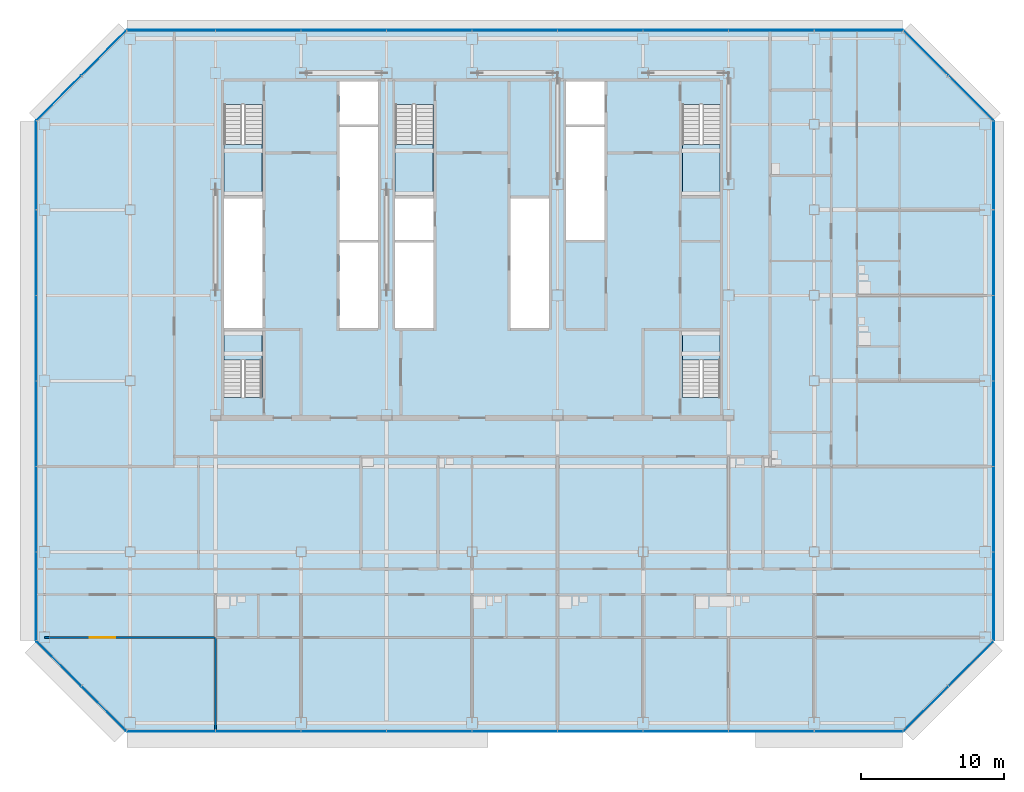
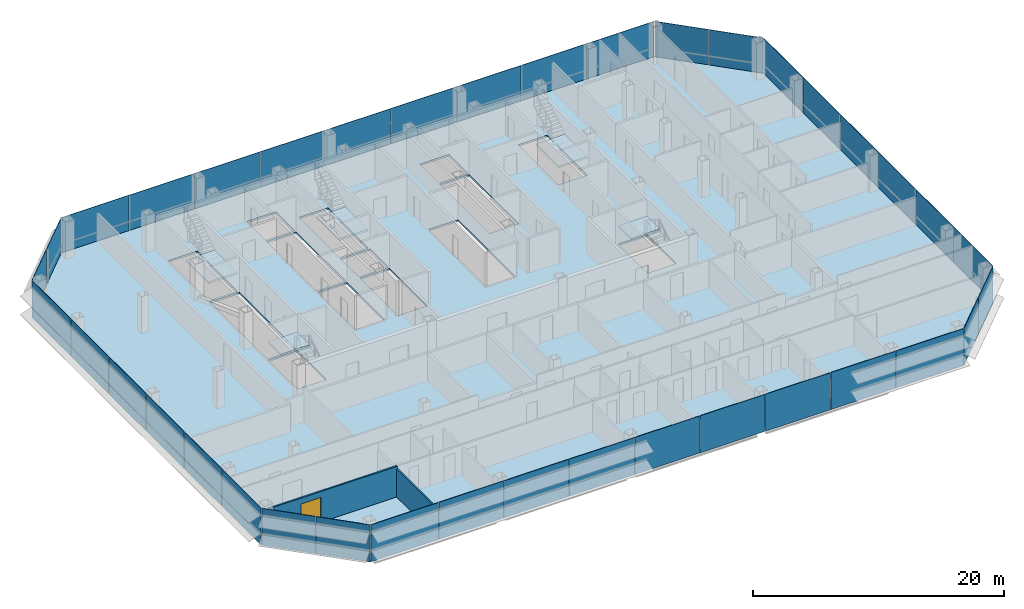
# One storey, part 18 of 25: 38 plates, 6 slabs, 2 walls, 1 door, 1 opening, 13 elements without a shape of their own.
"""IFC4 building model written with IfcOpenShell, lengths in metres."""

from ifc_helpers import new_model, si_unit, direction, frame, frame_2d, origin, origin_2d, place, context, subcontext, project, spatial, polyline, rectangle, outline, extrude, material, layer, layer_set, type_object, element, fill, aggregate, save


model = new_model("IFC4")

# Units and contexts
model_context = context("Model", 3, precision=1e-05, world=origin(), true_north=direction((0.0, 1.0)))
body_context = subcontext(model_context, "Body", "Model", "MODEL_VIEW")
ifc_project = project(units=[si_unit("LENGTHUNIT", "METRE"), si_unit("AREAUNIT", "SQUARE_METRE"), si_unit("VOLUMEUNIT", "CUBIC_METRE"), si_unit("PLANEANGLEUNIT", "RADIAN"), si_unit("MASSUNIT", "GRAM", prefix="KILO")], contexts=[model_context])

# Site, building, storey
site_placement = place(None, origin())
site = spatial("IfcSite", under=ifc_project, at=site_placement, CompositionType="ELEMENT")
building_placement = place(site_placement, origin())
building = spatial("IfcBuilding", under=site, at=building_placement, Name="Sorahane Residences", CompositionType="ELEMENT")
storey_placement = place(building_placement, frame((0.0, 0.0, 107.0)))
storey = spatial("IfcBuildingStorey", under=building, at=storey_placement, Name="L23", CompositionType="ELEMENT", Elevation=107.0)

# Slab
ifc_material_1 = material(Name="Concrete C35", Category="concrete")
ifc_layer_1 = layer(ifc_material_1, 0.179931640625)
ifc_layer_set_1 = layer_set([ifc_layer_1], Name="Composite floor slab 180 mm Concrete C35")
slab_type_1 = type_object("IfcSlabType", Name="Composite floor slab 180 mm Concrete C35", PredefinedType="FLOOR", material=ifc_layer_set_1)
slab_1_placement = place(storey_placement, frame((0.0, 0.0, -0.179931640625)))
element("IfcSlab", 1, at=slab_1_placement, inside=storey, type_object=slab_type_1, Name="Slab L23", PredefinedType="FLOOR", context=body_context, shape_type="SweptSolid", body=[
    extrude(outline(polyline([(-0.24853515625, -0.60009765625), (-6.60009765625, 5.75146484375), (-6.60009765625, 42.24853515625), (-0.24853515625, 48.60009765625), (54.24853515625, 48.60009765625), (60.60009765625, 42.24853515625), (60.60009765625, 5.75146484375), (54.24853515625, -0.60009765625), (-0.24853515625, -0.60009765625)]), holes=[polyline([(18.60009765625, 27.699951171875), (21.300048828125, 27.699951171875), (21.300048828125, 33.699951171875), (18.60009765625, 33.699951171875), (18.60009765625, 27.699951171875)]), polyline([(30.60009765625, 42.0), (33.300048828125, 42.0), (33.300048828125, 45.0), (30.60009765625, 45.0), (30.60009765625, 42.0)]), polyline([(14.699951171875, 27.699951171875), (17.39990234375, 27.699951171875), (17.39990234375, 33.699951171875), (14.699951171875, 33.699951171875), (14.699951171875, 27.699951171875)]), polyline([(14.699951171875, 42.0), (17.39990234375, 42.0), (17.39990234375, 45.0), (14.699951171875, 45.0), (14.699951171875, 42.0)]), polyline([(6.60009765625, 27.699951171875), (9.300048828125, 27.699951171875), (9.300048828125, 36.800048828125), (6.60009765625, 36.800048828125), (6.60009765625, 27.699951171875)]), polyline([(6.60009765625, 43.39990234375), (6.60009765625, 37.0), (9.25, 37.0), (9.25, 43.39990234375), (6.60009765625, 43.39990234375)]), polyline([(38.75, 43.39990234375), (38.75, 37.0), (41.39990234375, 37.0), (41.39990234375, 43.39990234375), (38.75, 43.39990234375)]), polyline([(18.60009765625, 43.39990234375), (18.60009765625, 37.0), (21.25, 37.0), (21.25, 43.39990234375), (18.60009765625, 43.39990234375)]), polyline([(9.25, 22.85009765625), (9.25, 27.5), (6.60009765625, 27.5), (6.60009765625, 22.85009765625), (9.25, 22.85009765625)]), polyline([(41.39990234375, 22.85009765625), (41.39990234375, 27.5), (38.75, 27.5), (38.75, 22.85009765625), (41.39990234375, 22.85009765625)]), polyline([(14.699951171875, 33.89990234375), (17.39990234375, 33.89990234375), (17.39990234375, 41.800048828125), (14.699951171875, 41.800048828125), (14.699951171875, 33.89990234375)]), polyline([(30.60009765625, 33.89990234375), (33.300048828125, 33.89990234375), (33.300048828125, 41.800048828125), (30.60009765625, 41.800048828125), (30.60009765625, 33.89990234375)]), polyline([(18.60009765625, 33.89990234375), (21.300048828125, 33.89990234375), (21.300048828125, 36.800048828125), (18.60009765625, 36.800048828125), (18.60009765625, 33.89990234375)]), polyline([(26.699951171875, 27.699951171875), (29.39990234375, 27.699951171875), (29.39990234375, 36.800048828125), (26.699951171875, 36.800048828125), (26.699951171875, 27.699951171875)])]), origin(), (0.0, 0.0, 1.0), 0.179931640625),
])

# Curtain wall, plates
ifc_material_2 = material(Name="Dark low-e glass and black anodised aluminium", Category="aluminium")
curtain_wall_type_1 = type_object("IfcCurtainWallType", Name="Curtain wall CW-1 Typical unitised wall", PredefinedType="NOTDEFINED", material=ifc_material_2)
curtain_wall_1_placement = place(storey_placement, origin())
curtain_wall_1 = element("IfcCurtainWall", 2, at=curtain_wall_1_placement, inside=storey, type_object=curtain_wall_type_1, Name="CW-1 curtain wall L23 S1", PredefinedType="NOTDEFINED")
ifc_material_3 = material(Name="Dark low-e glass with black ceramic frit", Category="glass")
ifc_layer_2 = layer(ifc_material_3, 0.0400390625)
ifc_layer_set_2 = layer_set([ifc_layer_2], Name="Curtain wall glass panel dark low-e with black frit spandrel band")
plate_type = type_object("IfcPlateType", Name="Curtain wall glass panel dark low-e with black frit spandrel band", PredefinedType="CURTAIN_PANEL", material=ifc_layer_set_2)
plate_1_placement = place(storey_placement, frame((2.88818359375, -0.60009765625, -0.179931640625), z_axis=(0.0, 0.0, 1.0), x_axis=(1.0, 0.0, 0.0)))
plate_1 = element("IfcPlate", 3, at=plate_1_placement, type_object=plate_type, Name="CW-1 glass panel L23 S1.1", PredefinedType="CURTAIN_PANEL", context=body_context, shape_type="SweptSolid", body=[
    extrude(rectangle(XDim=6.173583984375, YDim=0.0400390625, at=origin_2d()), origin(), (0.0, 0.0, 1.0), 3.60009765625),
])
plate_2_placement = place(storey_placement, frame((9.0, -0.60009765625, -0.179931640625), z_axis=(0.0, 0.0, 1.0), x_axis=(1.0, 0.0, 0.0)))
plate_2 = element("IfcPlate", 4, at=plate_2_placement, type_object=plate_type, Name="CW-1 glass panel L23 S1.2", PredefinedType="CURTAIN_PANEL", context=body_context, shape_type="SweptSolid", body=[
    extrude(rectangle(XDim=5.949951171875, YDim=0.0400390625, at=origin_2d()), origin(), (0.0, 0.0, 1.0), 3.60009765625),
])
plate_3_placement = place(storey_placement, frame((15.0, -0.60009765625, -0.179931640625), z_axis=(0.0, 0.0, 1.0), x_axis=(1.0, 0.0, 0.0)))
plate_3 = element("IfcPlate", 5, at=plate_3_placement, type_object=plate_type, Name="CW-1 glass panel L23 S1.3", PredefinedType="CURTAIN_PANEL", context=body_context, shape_type="SweptSolid", body=[
    extrude(rectangle(XDim=5.949951171875, YDim=0.0400390625, at=origin_2d()), origin(), (0.0, 0.0, 1.0), 3.60009765625),
])
plate_4_placement = place(storey_placement, frame((21.0, -0.60009765625, -0.179931640625), z_axis=(0.0, 0.0, 1.0), x_axis=(1.0, 0.0, 0.0)))
plate_4 = element("IfcPlate", 6, at=plate_4_placement, type_object=plate_type, Name="CW-1 glass panel L23 S1.4", PredefinedType="CURTAIN_PANEL", context=body_context, shape_type="SweptSolid", body=[
    extrude(rectangle(XDim=5.949951171875, YDim=0.0400390625, at=origin_2d()), origin(), (0.0, 0.0, 1.0), 3.60009765625),
])
plate_5_placement = place(storey_placement, frame((27.0, -0.60009765625, -0.179931640625), z_axis=(0.0, 0.0, 1.0), x_axis=(1.0, 0.0, 0.0)))
plate_5 = element("IfcPlate", 7, at=plate_5_placement, type_object=plate_type, Name="CW-1 glass panel L23 S1.5", PredefinedType="CURTAIN_PANEL", context=body_context, shape_type="SweptSolid", body=[
    extrude(rectangle(XDim=5.949951171875, YDim=0.0400390625, at=origin_2d()), origin(), (0.0, 0.0, 1.0), 3.60009765625),
])
plate_6_placement = place(storey_placement, frame((33.0, -0.60009765625, -0.179931640625), z_axis=(0.0, 0.0, 1.0), x_axis=(1.0, 0.0, 0.0)))
plate_6 = element("IfcPlate", 8, at=plate_6_placement, type_object=plate_type, Name="CW-1 glass panel L23 S1.6", PredefinedType="CURTAIN_PANEL", context=body_context, shape_type="SweptSolid", body=[
    extrude(rectangle(XDim=5.949951171875, YDim=0.0400390625, at=origin_2d()), origin(), (0.0, 0.0, 1.0), 3.60009765625),
])
plate_7_placement = place(storey_placement, frame((39.0, -0.60009765625, -0.179931640625), z_axis=(0.0, 0.0, 1.0), x_axis=(1.0, 0.0, 0.0)))
plate_7 = element("IfcPlate", 9, at=plate_7_placement, type_object=plate_type, Name="CW-1 glass panel L23 S1.7", PredefinedType="CURTAIN_PANEL", context=body_context, shape_type="SweptSolid", body=[
    extrude(rectangle(XDim=5.949951171875, YDim=0.0400390625, at=origin_2d()), origin(), (0.0, 0.0, 1.0), 3.60009765625),
])
plate_8_placement = place(storey_placement, frame((45.0, -0.60009765625, -0.179931640625), z_axis=(0.0, 0.0, 1.0), x_axis=(1.0, 0.0, 0.0)))
plate_8 = element("IfcPlate", 10, at=plate_8_placement, type_object=plate_type, Name="CW-1 glass panel L23 S1.8", PredefinedType="CURTAIN_PANEL", context=body_context, shape_type="SweptSolid", body=[
    extrude(rectangle(XDim=5.949951171875, YDim=0.0400390625, at=origin_2d()), origin(), (0.0, 0.0, 1.0), 3.60009765625),
])
plate_9_placement = place(storey_placement, frame((51.11181640625, -0.60009765625, -0.179931640625), z_axis=(0.0, 0.0, 1.0), x_axis=(1.0, 0.0, 0.0)))
plate_9 = element("IfcPlate", 11, at=plate_9_placement, type_object=plate_type, Name="CW-1 glass panel L23 S1.9", PredefinedType="CURTAIN_PANEL", context=body_context, shape_type="SweptSolid", body=[
    extrude(rectangle(XDim=6.173583984375, YDim=0.0400390625, at=origin_2d()), origin(), (0.0, 0.0, 1.0), 3.60009765625),
])
aggregate(curtain_wall_1, [plate_1, plate_2, plate_3, plate_4, plate_5, plate_6, plate_7, plate_8, plate_9])

ifc_material_4 = material(Name="Dark low-e glass and black anodised aluminium", Category="aluminium")
curtain_wall_type_2 = type_object("IfcCurtainWallType", Name="Curtain wall CW-2 Chamfer unitised wall", PredefinedType="NOTDEFINED", material=ifc_material_4)
curtain_wall_2_placement = place(storey_placement, origin())
curtain_wall_2 = element("IfcCurtainWall", 12, at=curtain_wall_2_placement, inside=storey, type_object=curtain_wall_type_2, Name="CW-2 curtain wall L23 SE1", PredefinedType="NOTDEFINED")
plate_10_placement = place(storey_placement, frame((55.84521484375, 0.996826171875, -0.179931640625), z_axis=(0.0, 0.0, 1.0), x_axis=(0.707106781187, 0.707106781187, 0.0)))
plate_10 = element("IfcPlate", 13, at=plate_10_placement, type_object=plate_type, Name="CW-2 glass panel L23 SE1.1", PredefinedType="CURTAIN_PANEL", context=body_context, shape_type="SweptSolid", body=[
    extrude(rectangle(XDim=4.416259765625, YDim=0.0400390625, at=origin_2d()), origin(), (0.0, 0.0, 1.0), 3.60009765625),
])
plate_11_placement = place(storey_placement, frame((59.003173828125, 4.15478515625, -0.179931640625), z_axis=(0.0, 0.0, 1.0), x_axis=(0.707106781187, 0.707106781187, 0.0)))
plate_11 = element("IfcPlate", 14, at=plate_11_placement, type_object=plate_type, Name="CW-2 glass panel L23 SE1.2", PredefinedType="CURTAIN_PANEL", context=body_context, shape_type="SweptSolid", body=[
    extrude(rectangle(XDim=4.416259765625, YDim=0.0400390625, at=origin_2d()), origin(), (0.0, 0.0, 1.0), 3.60009765625),
])
aggregate(curtain_wall_2, [plate_10, plate_11])

curtain_wall_3_placement = place(storey_placement, origin())
curtain_wall_3 = element("IfcCurtainWall", 15, at=curtain_wall_3_placement, inside=storey, type_object=curtain_wall_type_1, Name="CW-1 curtain wall L23 E1", PredefinedType="NOTDEFINED")
plate_12_placement = place(storey_placement, frame((60.60009765625, 8.88818359375, -0.179931640625), z_axis=(0.0, 0.0, 1.0), x_axis=(0.0, 1.0, 0.0)))
plate_12 = element("IfcPlate", 16, at=plate_12_placement, type_object=plate_type, Name="CW-1 glass panel L23 E1.1", PredefinedType="CURTAIN_PANEL", context=body_context, shape_type="SweptSolid", body=[
    extrude(rectangle(XDim=6.173583984375, YDim=0.0400390625, at=origin_2d()), origin(), (0.0, 0.0, 1.0), 3.60009765625),
])
plate_13_placement = place(storey_placement, frame((60.60009765625, 15.0, -0.179931640625), z_axis=(0.0, 0.0, 1.0), x_axis=(0.0, 1.0, 0.0)))
plate_13 = element("IfcPlate", 17, at=plate_13_placement, type_object=plate_type, Name="CW-1 glass panel L23 E1.2", PredefinedType="CURTAIN_PANEL", context=body_context, shape_type="SweptSolid", body=[
    extrude(rectangle(XDim=5.949951171875, YDim=0.0400390625, at=origin_2d()), origin(), (0.0, 0.0, 1.0), 3.60009765625),
])
plate_14_placement = place(storey_placement, frame((60.60009765625, 21.0, -0.179931640625), z_axis=(0.0, 0.0, 1.0), x_axis=(0.0, 1.0, 0.0)))
plate_14 = element("IfcPlate", 18, at=plate_14_placement, type_object=plate_type, Name="CW-1 glass panel L23 E1.3", PredefinedType="CURTAIN_PANEL", context=body_context, shape_type="SweptSolid", body=[
    extrude(rectangle(XDim=5.949951171875, YDim=0.0400390625, at=origin_2d()), origin(), (0.0, 0.0, 1.0), 3.60009765625),
])
plate_15_placement = place(storey_placement, frame((60.60009765625, 27.0, -0.179931640625), z_axis=(0.0, 0.0, 1.0), x_axis=(0.0, 1.0, 0.0)))
plate_15 = element("IfcPlate", 19, at=plate_15_placement, type_object=plate_type, Name="CW-1 glass panel L23 E1.4", PredefinedType="CURTAIN_PANEL", context=body_context, shape_type="SweptSolid", body=[
    extrude(rectangle(XDim=5.949951171875, YDim=0.0400390625, at=origin_2d()), origin(), (0.0, 0.0, 1.0), 3.60009765625),
])
plate_16_placement = place(storey_placement, frame((60.60009765625, 33.0, -0.179931640625), z_axis=(0.0, 0.0, 1.0), x_axis=(0.0, 1.0, 0.0)))
plate_16 = element("IfcPlate", 20, at=plate_16_placement, type_object=plate_type, Name="CW-1 glass panel L23 E1.5", PredefinedType="CURTAIN_PANEL", context=body_context, shape_type="SweptSolid", body=[
    extrude(rectangle(XDim=5.949951171875, YDim=0.0400390625, at=origin_2d()), origin(), (0.0, 0.0, 1.0), 3.60009765625),
])
plate_17_placement = place(storey_placement, frame((60.60009765625, 39.11181640625, -0.179931640625), z_axis=(0.0, 0.0, 1.0), x_axis=(0.0, 1.0, 0.0)))
plate_17 = element("IfcPlate", 21, at=plate_17_placement, type_object=plate_type, Name="CW-1 glass panel L23 E1.6", PredefinedType="CURTAIN_PANEL", context=body_context, shape_type="SweptSolid", body=[
    extrude(rectangle(XDim=6.173583984375, YDim=0.0400390625, at=origin_2d()), origin(), (0.0, 0.0, 1.0), 3.60009765625),
])
aggregate(curtain_wall_3, [plate_12, plate_13, plate_14, plate_15, plate_16, plate_17])

curtain_wall_4_placement = place(storey_placement, origin())
curtain_wall_4 = element("IfcCurtainWall", 22, at=curtain_wall_4_placement, inside=storey, type_object=curtain_wall_type_2, Name="CW-2 curtain wall L23 NE1", PredefinedType="NOTDEFINED")
plate_18_placement = place(storey_placement, frame((59.003173828125, 43.84521484375, -0.179931640625), z_axis=(0.0, 0.0, 1.0), x_axis=(-0.707106781187, 0.707106781187, 0.0)))
plate_18 = element("IfcPlate", 23, at=plate_18_placement, type_object=plate_type, Name="CW-2 glass panel L23 NE1.1", PredefinedType="CURTAIN_PANEL", context=body_context, shape_type="SweptSolid", body=[
    extrude(rectangle(XDim=4.416259765625, YDim=0.0400390625, at=origin_2d()), origin(), (0.0, 0.0, 1.0), 3.60009765625),
])
plate_19_placement = place(storey_placement, frame((55.84521484375, 47.003173828125, -0.179931640625), z_axis=(0.0, 0.0, 1.0), x_axis=(-0.707106781187, 0.707106781187, 0.0)))
plate_19 = element("IfcPlate", 24, at=plate_19_placement, type_object=plate_type, Name="CW-2 glass panel L23 NE1.2", PredefinedType="CURTAIN_PANEL", context=body_context, shape_type="SweptSolid", body=[
    extrude(rectangle(XDim=4.416259765625, YDim=0.0400390625, at=origin_2d()), origin(), (0.0, 0.0, 1.0), 3.60009765625),
])
aggregate(curtain_wall_4, [plate_18, plate_19])

curtain_wall_5_placement = place(storey_placement, origin())
curtain_wall_5 = element("IfcCurtainWall", 25, at=curtain_wall_5_placement, inside=storey, type_object=curtain_wall_type_1, Name="CW-1 curtain wall L23 N1", PredefinedType="NOTDEFINED")
plate_20_placement = place(storey_placement, frame((51.11181640625, 48.60009765625, -0.179931640625), z_axis=(0.0, 0.0, 1.0), x_axis=(-1.0, 0.0, 0.0)))
plate_20 = element("IfcPlate", 26, at=plate_20_placement, type_object=plate_type, Name="CW-1 glass panel L23 N1.1", PredefinedType="CURTAIN_PANEL", context=body_context, shape_type="SweptSolid", body=[
    extrude(rectangle(XDim=6.173583984375, YDim=0.0400390625, at=origin_2d()), origin(), (0.0, 0.0, 1.0), 3.60009765625),
])
plate_21_placement = place(storey_placement, frame((45.0, 48.60009765625, -0.179931640625), z_axis=(0.0, 0.0, 1.0), x_axis=(-1.0, 0.0, 0.0)))
plate_21 = element("IfcPlate", 27, at=plate_21_placement, type_object=plate_type, Name="CW-1 glass panel L23 N1.2", PredefinedType="CURTAIN_PANEL", context=body_context, shape_type="SweptSolid", body=[
    extrude(rectangle(XDim=5.949951171875, YDim=0.0400390625, at=origin_2d()), origin(), (0.0, 0.0, 1.0), 3.60009765625),
])
plate_22_placement = place(storey_placement, frame((39.0, 48.60009765625, -0.179931640625), z_axis=(0.0, 0.0, 1.0), x_axis=(-1.0, 0.0, 0.0)))
plate_22 = element("IfcPlate", 28, at=plate_22_placement, type_object=plate_type, Name="CW-1 glass panel L23 N1.3", PredefinedType="CURTAIN_PANEL", context=body_context, shape_type="SweptSolid", body=[
    extrude(rectangle(XDim=5.949951171875, YDim=0.0400390625, at=origin_2d()), origin(), (0.0, 0.0, 1.0), 3.60009765625),
])
plate_23_placement = place(storey_placement, frame((33.0, 48.60009765625, -0.179931640625), z_axis=(0.0, 0.0, 1.0), x_axis=(-1.0, 0.0, 0.0)))
plate_23 = element("IfcPlate", 29, at=plate_23_placement, type_object=plate_type, Name="CW-1 glass panel L23 N1.4", PredefinedType="CURTAIN_PANEL", context=body_context, shape_type="SweptSolid", body=[
    extrude(rectangle(XDim=5.949951171875, YDim=0.0400390625, at=origin_2d()), origin(), (0.0, 0.0, 1.0), 3.60009765625),
])
plate_24_placement = place(storey_placement, frame((27.0, 48.60009765625, -0.179931640625), z_axis=(0.0, 0.0, 1.0), x_axis=(-1.0, 0.0, 0.0)))
plate_24 = element("IfcPlate", 30, at=plate_24_placement, type_object=plate_type, Name="CW-1 glass panel L23 N1.5", PredefinedType="CURTAIN_PANEL", context=body_context, shape_type="SweptSolid", body=[
    extrude(rectangle(XDim=5.949951171875, YDim=0.0400390625, at=origin_2d()), origin(), (0.0, 0.0, 1.0), 3.60009765625),
])
plate_25_placement = place(storey_placement, frame((21.0, 48.60009765625, -0.179931640625), z_axis=(0.0, 0.0, 1.0), x_axis=(-1.0, 0.0, 0.0)))
plate_25 = element("IfcPlate", 31, at=plate_25_placement, type_object=plate_type, Name="CW-1 glass panel L23 N1.6", PredefinedType="CURTAIN_PANEL", context=body_context, shape_type="SweptSolid", body=[
    extrude(rectangle(XDim=5.949951171875, YDim=0.0400390625, at=origin_2d()), origin(), (0.0, 0.0, 1.0), 3.60009765625),
])
plate_26_placement = place(storey_placement, frame((15.0, 48.60009765625, -0.179931640625), z_axis=(0.0, 0.0, 1.0), x_axis=(-1.0, 0.0, 0.0)))
plate_26 = element("IfcPlate", 32, at=plate_26_placement, type_object=plate_type, Name="CW-1 glass panel L23 N1.7", PredefinedType="CURTAIN_PANEL", context=body_context, shape_type="SweptSolid", body=[
    extrude(rectangle(XDim=5.949951171875, YDim=0.0400390625, at=origin_2d()), origin(), (0.0, 0.0, 1.0), 3.60009765625),
])
plate_27_placement = place(storey_placement, frame((9.0, 48.60009765625, -0.179931640625), z_axis=(0.0, 0.0, 1.0), x_axis=(-1.0, 0.0, 0.0)))
plate_27 = element("IfcPlate", 33, at=plate_27_placement, type_object=plate_type, Name="CW-1 glass panel L23 N1.8", PredefinedType="CURTAIN_PANEL", context=body_context, shape_type="SweptSolid", body=[
    extrude(rectangle(XDim=5.949951171875, YDim=0.0400390625, at=origin_2d()), origin(), (0.0, 0.0, 1.0), 3.60009765625),
])
plate_28_placement = place(storey_placement, frame((2.88818359375, 48.60009765625, -0.179931640625), z_axis=(0.0, 0.0, 1.0), x_axis=(-1.0, 0.0, 0.0)))
plate_28 = element("IfcPlate", 34, at=plate_28_placement, type_object=plate_type, Name="CW-1 glass panel L23 N1.9", PredefinedType="CURTAIN_PANEL", context=body_context, shape_type="SweptSolid", body=[
    extrude(rectangle(XDim=6.173583984375, YDim=0.0400390625, at=origin_2d()), origin(), (0.0, 0.0, 1.0), 3.60009765625),
])
aggregate(curtain_wall_5, [plate_20, plate_21, plate_22, plate_23, plate_24, plate_25, plate_26, plate_27, plate_28])

curtain_wall_6_placement = place(storey_placement, origin())
curtain_wall_6 = element("IfcCurtainWall", 35, at=curtain_wall_6_placement, inside=storey, type_object=curtain_wall_type_2, Name="CW-2 curtain wall L23 NW1", PredefinedType="NOTDEFINED")
plate_29_placement = place(storey_placement, frame((-1.84521484375, 47.003173828125, -0.179931640625), z_axis=(0.0, 0.0, 1.0), x_axis=(-0.707106781187, -0.707106781187, 0.0)))
plate_29 = element("IfcPlate", 36, at=plate_29_placement, type_object=plate_type, Name="CW-2 glass panel L23 NW1.1", PredefinedType="CURTAIN_PANEL", context=body_context, shape_type="SweptSolid", body=[
    extrude(rectangle(XDim=4.416259765625, YDim=0.0400390625, at=origin_2d()), origin(), (0.0, 0.0, 1.0), 3.60009765625),
])
plate_30_placement = place(storey_placement, frame((-5.003173828125, 43.84521484375, -0.179931640625), z_axis=(0.0, 0.0, 1.0), x_axis=(-0.707106781187, -0.707106781187, 0.0)))
plate_30 = element("IfcPlate", 37, at=plate_30_placement, type_object=plate_type, Name="CW-2 glass panel L23 NW1.2", PredefinedType="CURTAIN_PANEL", context=body_context, shape_type="SweptSolid", body=[
    extrude(rectangle(XDim=4.416259765625, YDim=0.0400390625, at=origin_2d()), origin(), (0.0, 0.0, 1.0), 3.60009765625),
])
aggregate(curtain_wall_6, [plate_29, plate_30])

curtain_wall_7_placement = place(storey_placement, origin())
curtain_wall_7 = element("IfcCurtainWall", 38, at=curtain_wall_7_placement, inside=storey, type_object=curtain_wall_type_1, Name="CW-1 curtain wall L23 W1", PredefinedType="NOTDEFINED")
plate_31_placement = place(storey_placement, frame((-6.60009765625, 39.11181640625, -0.179931640625), z_axis=(0.0, 0.0, 1.0), x_axis=(0.0, -1.0, 0.0)))
plate_31 = element("IfcPlate", 39, at=plate_31_placement, type_object=plate_type, Name="CW-1 glass panel L23 W1.1", PredefinedType="CURTAIN_PANEL", context=body_context, shape_type="SweptSolid", body=[
    extrude(rectangle(XDim=6.173583984375, YDim=0.0400390625, at=origin_2d()), origin(), (0.0, 0.0, 1.0), 3.60009765625),
])
plate_32_placement = place(storey_placement, frame((-6.60009765625, 33.0, -0.179931640625), z_axis=(0.0, 0.0, 1.0), x_axis=(0.0, -1.0, 0.0)))
plate_32 = element("IfcPlate", 40, at=plate_32_placement, type_object=plate_type, Name="CW-1 glass panel L23 W1.2", PredefinedType="CURTAIN_PANEL", context=body_context, shape_type="SweptSolid", body=[
    extrude(rectangle(XDim=5.949951171875, YDim=0.0400390625, at=origin_2d()), origin(), (0.0, 0.0, 1.0), 3.60009765625),
])
plate_33_placement = place(storey_placement, frame((-6.60009765625, 27.0, -0.179931640625), z_axis=(0.0, 0.0, 1.0), x_axis=(0.0, -1.0, 0.0)))
plate_33 = element("IfcPlate", 41, at=plate_33_placement, type_object=plate_type, Name="CW-1 glass panel L23 W1.3", PredefinedType="CURTAIN_PANEL", context=body_context, shape_type="SweptSolid", body=[
    extrude(rectangle(XDim=5.949951171875, YDim=0.0400390625, at=origin_2d()), origin(), (0.0, 0.0, 1.0), 3.60009765625),
])
plate_34_placement = place(storey_placement, frame((-6.60009765625, 21.0, -0.179931640625), z_axis=(0.0, 0.0, 1.0), x_axis=(0.0, -1.0, 0.0)))
plate_34 = element("IfcPlate", 42, at=plate_34_placement, type_object=plate_type, Name="CW-1 glass panel L23 W1.4", PredefinedType="CURTAIN_PANEL", context=body_context, shape_type="SweptSolid", body=[
    extrude(rectangle(XDim=5.949951171875, YDim=0.0400390625, at=origin_2d()), origin(), (0.0, 0.0, 1.0), 3.60009765625),
])
plate_35_placement = place(storey_placement, frame((-6.60009765625, 15.0, -0.179931640625), z_axis=(0.0, 0.0, 1.0), x_axis=(0.0, -1.0, 0.0)))
plate_35 = element("IfcPlate", 43, at=plate_35_placement, type_object=plate_type, Name="CW-1 glass panel L23 W1.5", PredefinedType="CURTAIN_PANEL", context=body_context, shape_type="SweptSolid", body=[
    extrude(rectangle(XDim=5.949951171875, YDim=0.0400390625, at=origin_2d()), origin(), (0.0, 0.0, 1.0), 3.60009765625),
])
plate_36_placement = place(storey_placement, frame((-6.60009765625, 8.88818359375, -0.179931640625), z_axis=(0.0, 0.0, 1.0), x_axis=(0.0, -1.0, 0.0)))
plate_36 = element("IfcPlate", 44, at=plate_36_placement, type_object=plate_type, Name="CW-1 glass panel L23 W1.6", PredefinedType="CURTAIN_PANEL", context=body_context, shape_type="SweptSolid", body=[
    extrude(rectangle(XDim=6.173583984375, YDim=0.0400390625, at=origin_2d()), origin(), (0.0, 0.0, 1.0), 3.60009765625),
])
aggregate(curtain_wall_7, [plate_31, plate_32, plate_33, plate_34, plate_35, plate_36])

curtain_wall_8_placement = place(storey_placement, origin())
curtain_wall_8 = element("IfcCurtainWall", 45, at=curtain_wall_8_placement, inside=storey, type_object=curtain_wall_type_2, Name="CW-2 curtain wall L23 SW1", PredefinedType="NOTDEFINED")
plate_37_placement = place(storey_placement, frame((-5.003173828125, 4.15478515625, -0.179931640625), z_axis=(0.0, 0.0, 1.0), x_axis=(0.707106781187, -0.707106781187, 0.0)))
plate_37 = element("IfcPlate", 46, at=plate_37_placement, type_object=plate_type, Name="CW-2 glass panel L23 SW1.1", PredefinedType="CURTAIN_PANEL", context=body_context, shape_type="SweptSolid", body=[
    extrude(rectangle(XDim=4.416259765625, YDim=0.0400390625, at=origin_2d()), origin(), (0.0, 0.0, 1.0), 3.60009765625),
])
plate_38_placement = place(storey_placement, frame((-1.84521484375, 0.996826171875, -0.179931640625), z_axis=(0.0, 0.0, 1.0), x_axis=(0.707106781187, -0.707106781187, 0.0)))
plate_38 = element("IfcPlate", 47, at=plate_38_placement, type_object=plate_type, Name="CW-2 glass panel L23 SW1.2", PredefinedType="CURTAIN_PANEL", context=body_context, shape_type="SweptSolid", body=[
    extrude(rectangle(XDim=4.416259765625, YDim=0.0400390625, at=origin_2d()), origin(), (0.0, 0.0, 1.0), 3.60009765625),
])
aggregate(curtain_wall_8, [plate_37, plate_38])

# Stair, slab
ifc_material_5 = material(Name="Concrete C40", Category="concrete")
stair_type = type_object("IfcStairType", Name="Dog-leg stair 1250 Concrete C40", PredefinedType="HALF_TURN_STAIR", material=ifc_material_5)
stair_1_placement = place(storey_placement, origin())
stair_1 = element("IfcStair", 48, at=stair_1_placement, inside=storey, type_object=stair_type, Name="L23 Stair S1", PredefinedType="HALF_TURN_STAIR")
ifc_material_6 = material(Name="Concrete C40", Category="concrete")
ifc_layer_3 = layer(ifc_material_6, 0.199951171875)
ifc_layer_set_3 = layer_set([ifc_layer_3], Name="Stair landing 200 Concrete C40")
slab_type_2 = type_object("IfcSlabType", Name="Stair landing 200 Concrete C40", PredefinedType="LANDING", material=ifc_layer_set_3)
slab_2_placement = place(storey_placement, frame((0.0, 0.0, 1.60009765625)))
slab_2 = element("IfcSlab", 49, at=slab_2_placement, type_object=slab_type_2, Name="S1 landing 1", PredefinedType="LANDING", context=body_context, shape_type="SweptSolid", body=[
    extrude(outline(polyline([(6.60009765625, 40.60009765625), (6.60009765625, 37.0), (9.25, 37.0), (9.25, 40.60009765625), (6.60009765625, 40.60009765625)])), origin(), (0.0, 0.0, 1.0), 0.199951171875),
])
aggregate(stair_1, [slab_2])

stair_2_placement = place(storey_placement, origin())
stair_2 = element("IfcStair", 50, at=stair_2_placement, inside=storey, type_object=stair_type, Name="L23 Stair S2", PredefinedType="HALF_TURN_STAIR")
slab_3_placement = place(storey_placement, frame((0.0, 0.0, 1.60009765625)))
slab_3 = element("IfcSlab", 51, at=slab_3_placement, type_object=slab_type_2, Name="S2 landing 1", PredefinedType="LANDING", context=body_context, shape_type="SweptSolid", body=[
    extrude(outline(polyline([(38.75, 40.60009765625), (38.75, 37.0), (41.39990234375, 37.0), (41.39990234375, 40.60009765625), (38.75, 40.60009765625)])), origin(), (0.0, 0.0, 1.0), 0.199951171875),
])
aggregate(stair_2, [slab_3])

stair_3_placement = place(storey_placement, origin())
stair_3 = element("IfcStair", 52, at=stair_3_placement, inside=storey, type_object=stair_type, Name="L23 Stair S3", PredefinedType="HALF_TURN_STAIR")
slab_4_placement = place(storey_placement, frame((0.0, 0.0, 1.60009765625)))
slab_4 = element("IfcSlab", 53, at=slab_4_placement, type_object=slab_type_2, Name="S3 landing 1", PredefinedType="LANDING", context=body_context, shape_type="SweptSolid", body=[
    extrude(outline(polyline([(18.60009765625, 40.60009765625), (18.60009765625, 37.0), (21.25, 37.0), (21.25, 40.60009765625), (18.60009765625, 40.60009765625)])), origin(), (0.0, 0.0, 1.0), 0.199951171875),
])
aggregate(stair_3, [slab_4])

stair_4_placement = place(storey_placement, origin())
stair_4 = element("IfcStair", 54, at=stair_4_placement, inside=storey, type_object=stair_type, Name="L23 Stair S4", PredefinedType="HALF_TURN_STAIR")
slab_5_placement = place(storey_placement, frame((0.0, 0.0, 1.60009765625)))
slab_5 = element("IfcSlab", 55, at=slab_5_placement, type_object=slab_type_2, Name="S4 landing 1", PredefinedType="LANDING", context=body_context, shape_type="SweptSolid", body=[
    extrude(outline(polyline([(9.25, 25.449951171875), (9.25, 27.5), (6.60009765625, 27.5), (6.60009765625, 25.449951171875), (9.25, 25.449951171875)])), origin(), (0.0, 0.0, 1.0), 0.199951171875),
])
aggregate(stair_4, [slab_5])

stair_5_placement = place(storey_placement, origin())
stair_5 = element("IfcStair", 56, at=stair_5_placement, inside=storey, type_object=stair_type, Name="L23 Stair S5", PredefinedType="HALF_TURN_STAIR")
slab_6_placement = place(storey_placement, frame((0.0, 0.0, 1.60009765625)))
slab_6 = element("IfcSlab", 57, at=slab_6_placement, type_object=slab_type_2, Name="S5 landing 1", PredefinedType="LANDING", context=body_context, shape_type="SweptSolid", body=[
    extrude(outline(polyline([(41.39990234375, 25.449951171875), (41.39990234375, 27.5), (38.75, 27.5), (38.75, 25.449951171875), (41.39990234375, 25.449951171875)])), origin(), (0.0, 0.0, 1.0), 0.199951171875),
])
aggregate(stair_5, [slab_6])

# Wall
ifc_material_7 = material(Name="Gypsum board partition on steel studs", Category="steel")
ifc_layer_4 = layer(ifc_material_7, 0.14990234375)
ifc_layer_set_4 = layer_set([ifc_layer_4], Name="Partition 150 EI 90")
wall_type = type_object("IfcWallType", Name="Partition 150 EI 90", PredefinedType="PARTITIONING", material=ifc_layer_set_4)
wall_1_placement = place(storey_placement, frame((6.0, -0.60009765625, 0.0), z_axis=(0.0, 0.0, 1.0), x_axis=(0.0, 1.0, 0.0)))
element("IfcWall", 58, at=wall_1_placement, inside=storey, type_object=wall_type, Name="L23 partition", PredefinedType="PARTITIONING", context=body_context, shape_type="SweptSolid", body=[
    extrude(rectangle(XDim=6.60009765625, YDim=0.14990234375, at=frame_2d((3.300048828125, 0.0))), origin(), (0.0, 0.0, 1.0), 2.719970703125),
])

# Wall, opening, door
wall_2_placement = place(storey_placement, frame((-6.0, 6.0, 0.0), z_axis=(0.0, 0.0, 1.0), x_axis=(1.0, 0.0, 0.0)))
wall_2 = element("IfcWall", 59, at=wall_2_placement, inside=storey, type_object=wall_type, Name="L23 partition", PredefinedType="PARTITIONING", context=body_context, shape_type="SweptSolid", body=[
    extrude(rectangle(XDim=12.0, YDim=0.14990234375, at=frame_2d((6.0, 0.0))), origin(), (0.0, 0.0, 1.0), 2.969970703125),
])
opening_placement = place(wall_2_placement, frame((3.159912109375, 0.0, 0.0)))
opening = element("IfcOpeningElement", 60, at=opening_placement, cuts=wall_2, Name="Opening L23-10", PredefinedType="OPENING", context=body_context, shape_type="SweptSolid", body=[
    extrude(rectangle(XDim=1.800048828125, YDim=2.39990234375, at=frame_2d((0.89990234375, 1.199951171875))), frame((0.0, 0.0849609375, 0.0), z_axis=(0.0, -1.0, 0.0), x_axis=(1.0, 0.0, 0.0)), (0.0, 0.0, 1.0), 0.169921875),
])
ifc_material_8 = material(Name="Timber veneered fire door", Category="wood")
door_type = type_object("IfcDoorType", Name="Double door 1800x2400 FD30", OperationType="NOTDEFINED", PredefinedType="DOOR", material=ifc_material_8)
door_placement = place(opening_placement, frame((1.800048828125, 0.0, 0.0), z_axis=(0.0, 0.0, 1.0), x_axis=(-1.0, 0.0, 0.0)))
door = element("IfcDoor", 61, at=door_placement, inside=storey, type_object=door_type, Name="Double door L23-10", OperationType="SINGLE_SWING_RIGHT", OverallHeight=2.39990234375, OverallWidth=1.800048828125, PredefinedType="DOOR", context=body_context, shape_type="SweptSolid", body=[
    extrude(rectangle(XDim=1.800048828125, YDim=2.39990234375, at=frame_2d((0.89990234375, 1.199951171875))), frame((0.0, 0.02490234375, 0.0), z_axis=(0.0, -1.0, 0.0), x_axis=(1.0, 0.0, 0.0)), (0.0, 0.0, 1.0), 0.050048828125),
])
fill(opening, door)

save(model, "model.ifc")
